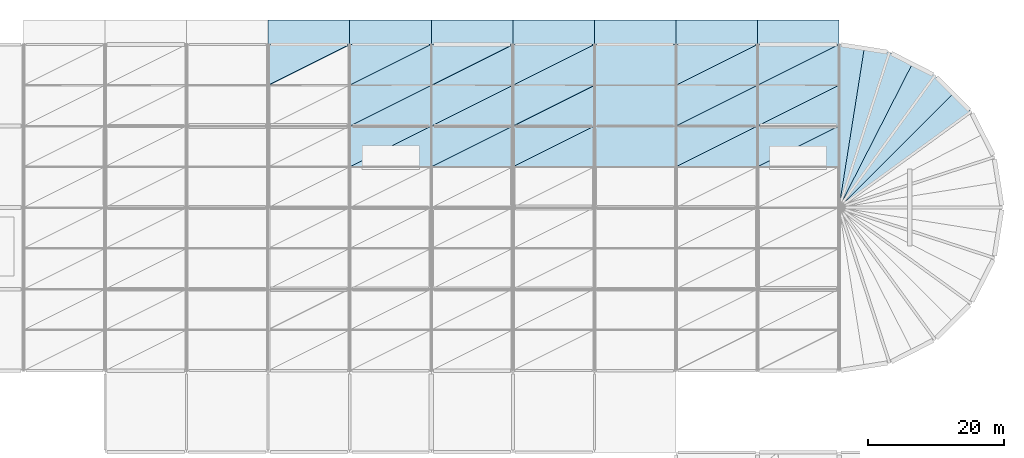
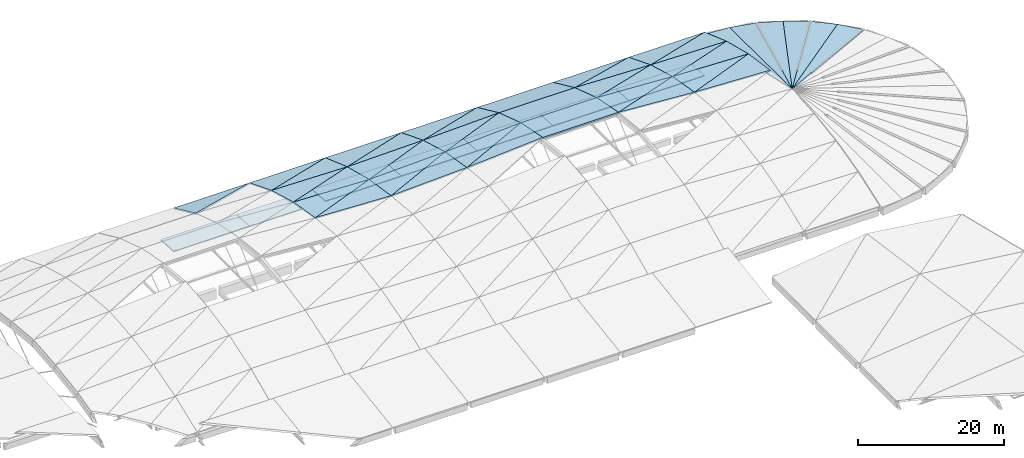
# One storey, part 22 of 23: 47 slabs, 2 elements without a shape of their own.
"""IFC4 building model written with IfcOpenShell, lengths in metres."""

from ifc_helpers import new_model, si_unit, direction, frame, origin, place, context, subcontext, project, spatial, polyline, outline, extrude, material, layer, layer_set, type_object, element, aggregate, save


model = new_model("IFC4")

# Units and contexts
model_context = context("Model", 3, precision=1e-05, world=origin(), true_north=direction((0.0, 1.0)))
body_context = subcontext(model_context, "Body", "Model", "MODEL_VIEW")
ifc_project = project(units=[si_unit("LENGTHUNIT", "METRE"), si_unit("AREAUNIT", "SQUARE_METRE"), si_unit("VOLUMEUNIT", "CUBIC_METRE"), si_unit("PLANEANGLEUNIT", "RADIAN"), si_unit("MASSUNIT", "GRAM", prefix="KILO")], contexts=[model_context])

# Site, building, storey
site_placement = place(None, origin())
site = spatial("IfcSite", under=ifc_project, at=site_placement, CompositionType="ELEMENT")
building_placement = place(site_placement, origin())
building = spatial("IfcBuilding", under=site, at=building_placement, Name="Kamomehara Wholesale Market", CompositionType="ELEMENT")
storey_placement = place(building_placement, frame((0.0, 0.0, 21.0)))
storey = spatial("IfcBuildingStorey", under=building, at=storey_placement, Name="RF", CompositionType="ELEMENT", Elevation=21.0)

# Roof, slabs
ifc_material_1 = material(Name="Concrete Fc36 (C35/45)", Category="concrete")
ifc_layer_1 = layer(ifc_material_1, 0.199951171875)
ifc_layer_set_1 = layer_set([ifc_layer_1], Name="Concrete Fc36 (C35/45)")
roof_type_1 = type_object("IfcRoofType", Name="ROOF-SYS-06", PredefinedType="GABLE_ROOF", material=ifc_layer_set_1)
roof_1_placement = place(storey_placement, origin())
roof_1 = element("IfcRoof", 1, at=roof_1_placement, inside=storey, type_object=roof_type_1, Name="V3 Dock Canopy Roof", PredefinedType="GABLE_ROOF")
ifc_material_2 = material(Name="Concrete Fc36 (C35/45)", Category="concrete")
ifc_layer_2 = layer(ifc_material_2, 0.14990234375)
ifc_layer_set_2 = layer_set([ifc_layer_2], Name="Concrete Fc36 (C35/45)")
slab_type_1 = type_object("IfcSlabType", Name="SLB-ROF-150", PredefinedType="ROOF", material=ifc_layer_set_2)
slab_1_placement = place(storey_placement, frame((96.0, 156.0, -15.89990234375), z_axis=(0.0, 0.063751781538, 0.997965786162), x_axis=(1.0, 0.0, 0.0)))
slab_1 = element("IfcSlab", 2, at=slab_1_placement, type_object=slab_type_1, Name="Freight canopy deck V1 4", PredefinedType="ROOF", context=body_context, shape_type="SweptSolid", body=[
    extrude(outline(polyline([(0.0, 0.0), (12.0, 0.0), (12.0, 3.607435952382691), (0.0, 3.607435952382691), (0.0, 0.0)])), origin(), (0.0, 0.0, -1.0), 0.14990234375),
])
slab_2_placement = place(storey_placement, frame((108.0, 156.0, -15.89990234375), z_axis=(0.0, 0.063751781538, 0.997965786162), x_axis=(1.0, 0.0, 0.0)))
slab_2 = element("IfcSlab", 3, at=slab_2_placement, type_object=slab_type_1, Name="Freight canopy deck V1 5", PredefinedType="ROOF", context=body_context, shape_type="SweptSolid", body=[
    extrude(outline(polyline([(0.0, 0.0), (12.0, 0.0), (12.0, 3.607435952382691), (0.0, 3.607435952382691), (0.0, 0.0)])), origin(), (0.0, 0.0, -1.0), 0.14990234375),
])
slab_3_placement = place(storey_placement, frame((120.0, 156.0, -15.89990234375), z_axis=(0.0, 0.063751781538, 0.997965786162), x_axis=(1.0, 0.0, 0.0)))
slab_3 = element("IfcSlab", 4, at=slab_3_placement, type_object=slab_type_1, Name="Freight canopy deck V1 6", PredefinedType="ROOF", context=body_context, shape_type="SweptSolid", body=[
    extrude(outline(polyline([(0.0, 0.0), (12.0, 0.0), (12.0, 3.607435952382691), (0.0, 3.607435952382691), (0.0, 0.0)])), origin(), (0.0, 0.0, -1.0), 0.14990234375),
])
slab_4_placement = place(storey_placement, frame((132.0, 156.0, -15.89990234375), z_axis=(0.0, 0.063751781538, 0.997965786162), x_axis=(1.0, 0.0, 0.0)))
slab_4 = element("IfcSlab", 5, at=slab_4_placement, type_object=slab_type_1, Name="Freight canopy deck V1 7", PredefinedType="ROOF", context=body_context, shape_type="SweptSolid", body=[
    extrude(outline(polyline([(0.0, 0.0), (12.0, 0.0), (12.0, 3.607435952382691), (0.0, 3.607435952382691), (0.0, 0.0)])), origin(), (0.0, 0.0, -1.0), 0.14990234375),
])
slab_5_placement = place(storey_placement, frame((144.0, 156.0, -15.89990234375), z_axis=(0.0, 0.063751781538, 0.997965786162), x_axis=(1.0, 0.0, 0.0)))
slab_5 = element("IfcSlab", 6, at=slab_5_placement, type_object=slab_type_1, Name="Freight canopy deck V1 8", PredefinedType="ROOF", context=body_context, shape_type="SweptSolid", body=[
    extrude(outline(polyline([(0.0, 0.0), (12.0, 0.0), (12.0, 3.607435952382691), (0.0, 3.607435952382691), (0.0, 0.0)])), origin(), (0.0, 0.0, -1.0), 0.14990234375),
])
slab_6_placement = place(storey_placement, frame((156.0, 156.0, -15.89990234375), z_axis=(0.0, 0.063751781538, 0.997965786162), x_axis=(1.0, 0.0, 0.0)))
slab_6 = element("IfcSlab", 7, at=slab_6_placement, type_object=slab_type_1, Name="Freight canopy deck V1 9", PredefinedType="ROOF", context=body_context, shape_type="SweptSolid", body=[
    extrude(outline(polyline([(0.0, 0.0), (12.0, 0.0), (12.0, 3.607435952382691), (0.0, 3.607435952382691), (0.0, 0.0)])), origin(), (0.0, 0.0, -1.0), 0.14990234375),
])
slab_7_placement = place(storey_placement, frame((168.0, 156.0, -15.89990234375), z_axis=(0.0, 0.063751781538, 0.997965786162), x_axis=(1.0, 0.0, 0.0)))
slab_7 = element("IfcSlab", 8, at=slab_7_placement, type_object=slab_type_1, Name="Freight canopy deck V1 10", PredefinedType="ROOF", context=body_context, shape_type="SweptSolid", body=[
    extrude(outline(polyline([(0.0, 0.0), (12.0, 0.0), (12.0, 3.607435952382691), (0.0, 3.607435952382691), (0.0, 0.0)])), origin(), (0.0, 0.0, -1.0), 0.14990234375),
])
aggregate(roof_1, [slab_1, slab_2, slab_3, slab_4, slab_5, slab_6, slab_7])

ifc_material_3 = material(Name="Concrete Fc36 (C35/45)", Category="concrete")
ifc_layer_3 = layer(ifc_material_3, 0.199951171875)
ifc_layer_set_3 = layer_set([ifc_layer_3], Name="Concrete Fc36 (C35/45)")
roof_type_2 = type_object("IfcRoofType", Name="ROOF-SYS-01", PredefinedType="BARREL_ROOF", material=ifc_layer_set_3)
roof_2_placement = place(storey_placement, origin())
roof_2 = element("IfcRoof", 9, at=roof_2_placement, inside=storey, type_object=roof_type_2, Name="V1 Wave-Barrel Concrete Shell Roof", PredefinedType="BARREL_ROOF")
ifc_material_4 = material(Name="Concrete Fc36 (C35/45)", Category="concrete")
ifc_layer_4 = layer(ifc_material_4, 0.179931640625)
ifc_layer_set_4 = layer_set([ifc_layer_4], Name="Concrete Fc36 (C35/45)")
slab_type_2 = type_object("IfcSlabType", Name="SLB-SHL-180", PredefinedType="ROOF", material=ifc_layer_set_4)
slab_8_placement = place(storey_placement, frame((108.0, 138.0, -3.5849609375), z_axis=(0.042645327452, 0.149801258637, 0.987796010802), x_axis=(0.999069381242, 0.0, -0.043132023661)))
slab_8 = element("IfcSlab", 10, at=slab_8_placement, type_object=slab_type_2, Name="Concrete shell roof facet V1 67", PredefinedType="ROOF", context=body_context, shape_type="SweptSolid", body=[
    extrude(outline(polyline([(0.0, 0.0), (12.011177827394148, 0.0), (12.050424178025319, 6.068475901801818), (0.0, 0.0)])), origin(), (0.0, 0.0, -1.0), 0.179931640625),
])
slab_9_placement = place(storey_placement, frame((108.0, 138.0, -3.5849609375), z_axis=(0.034084183452, 0.166370914285, 0.985473991193), x_axis=(0.889403592225, 0.444701796112, -0.105837435118)))
slab_9 = element("IfcSlab", 11, at=slab_9_placement, type_object=slab_type_2, Name="Concrete shell roof facet V1 68", PredefinedType="ROOF", context=body_context, shape_type="SweptSolid", body=[
    extrude(outline(polyline([(0.0, 0.0), (13.492187466867135, -3.0531133177191805e-16), (2.775417690322565, 5.415081068639854), (0.0, 0.0)])), origin(), (0.0, 0.0, -1.0), 0.179931640625),
])
slab_10_placement = place(storey_placement, frame((108.0, 144.0, -4.597900390625), z_axis=(0.033515080423, 0.244699516596, 0.969019548803), x_axis=(0.999402420026, 0.0, -0.034565920289)))
slab_10 = element("IfcSlab", 12, at=slab_10_placement, type_object=slab_type_2, Name="Concrete shell roof facet V1 69", PredefinedType="ROOF", context=body_context, shape_type="SweptSolid", body=[
    extrude(outline(polyline([(0.0, 0.0), (12.007175247467694, -1.3877787807814457e-17), (12.059547342514941, 6.188125438302368), (0.0, 0.0)])), origin(), (0.0, 0.0, -1.0), 0.179931640625),
])
slab_11_placement = place(storey_placement, frame((108.0, 144.0, -4.597900390625), z_axis=(0.019424424379, 0.270767076931, 0.962448898273), x_axis=(0.885312169823, 0.442656084911, -0.142400675753)))
slab_11 = element("IfcSlab", 13, at=slab_11_placement, type_object=slab_type_2, Name="Concrete shell roof facet V1 70", PredefinedType="ROOF", context=body_context, shape_type="SweptSolid", body=[
    extrude(outline(polyline([(0.0, 0.0), (13.554540882911677, -4.996003610813204e-16), (2.8963071813812302, 5.519122135694848), (0.0, 0.0)])), origin(), (0.0, 0.0, -1.0), 0.179931640625),
])
slab_12_placement = place(storey_placement, frame((108.0, 150.0, -6.285888671875), z_axis=(0.019024099385, 0.333343644667, 0.942613440495), x_axis=(0.999796399748, 0.0, -0.020178182547)))
slab_12 = element("IfcSlab", 14, at=slab_12_placement, type_object=slab_type_2, Name="Concrete shell roof facet V1 71", PredefinedType="ROOF", context=body_context, shape_type="SweptSolid", body=[
    extrude(outline(polyline([(0.0, 0.0), (12.002443700561829, 0.0), (12.04525829639092, 6.363985639050242), (0.0, 0.0)])), origin(), (0.0, 0.0, -1.0), 0.179931640625),
])
slab_13_placement = place(storey_placement, frame((108.0, 150.0, -6.285888671875), z_axis=(0.0, 0.366575165173, 0.930388439459), x_axis=(0.880857475286, 0.440428737643, -0.173529926212)))
slab_13 = element("IfcSlab", 15, at=slab_13_placement, type_object=slab_type_2, Name="Concrete shell roof facet V1 72", PredefinedType="ROOF", context=body_context, shape_type="SweptSolid", body=[
    extrude(outline(polyline([(0.0, 0.0), (13.623089247333438, 1.1102230246251565e-16), (3.0527995439031868, 5.680578807265718), (0.0, 0.0)])), origin(), (0.0, 0.0, -1.0), 0.179931640625),
])
slab_14_placement = place(storey_placement, frame((156.0, 138.0, -2.7470703125), z_axis=(0.068687348331, 0.166074480319, 0.983718107572), x_axis=(0.997571166828, 0.0, -0.069654627371)))
slab_14 = element("IfcSlab", 16, at=slab_14_placement, type_object=slab_type_2, Name="Concrete shell roof facet V1 123", PredefinedType="ROOF", context=body_context, shape_type="SweptSolid", body=[
    extrude(outline(polyline([(0.0, 0.0), (12.029216961193397, -2.7755575615628914e-17), (12.09977288135047, 6.084494079036314), (0.0, 0.0)])), origin(), (0.0, 0.0, -1.0), 0.179931640625),
])
slab_15_placement = place(storey_placement, frame((156.0, 138.0, -2.7470703125), z_axis=(0.054775148206, 0.192669789867, 0.979733655241), x_axis=(0.886035871948, 0.443017935974, -0.136658486842)))
slab_15 = element("IfcSlab", 17, at=slab_15_placement, type_object=slab_type_2, Name="Concrete shell roof facet V1 124", PredefinedType="ROOF", context=body_context, shape_type="SweptSolid", body=[
    extrude(outline(polyline([(0.0, 0.0), (13.543469717103228, 5.551115123125783e-16), (2.8193552884295263, 5.426184150409242), (0.0, 0.0)])), origin(), (0.0, 0.0, -1.0), 0.179931640625),
])
slab_16_placement = place(storey_placement, frame((156.0, 144.0, -3.927001953125), z_axis=(0.05374116883, 0.270426813168, 0.961239421524), x_axis=(0.998440790708, 0.0, -0.055821030535)))
slab_16 = element("IfcSlab", 18, at=slab_16_placement, type_object=slab_type_2, Name="Concrete shell roof facet V1 125", PredefinedType="ROOF", context=body_context, shape_type="SweptSolid", body=[
    extrude(outline(polyline([(0.0, 0.0), (12.01873973066394, -2.7755575615628914e-17), (12.112964976054656, 6.232208761006679), (0.0, 0.0)])), origin(), (0.0, 0.0, -1.0), 0.179931640625),
])
slab_17_placement = place(storey_placement, frame((156.0, 144.0, -3.927001953125), z_axis=(0.030935241972, 0.311516534082, 0.949737047712), x_axis=(0.880914944476, 0.440457472238, -0.173164880239)))
slab_17 = element("IfcSlab", 19, at=slab_17_placement, type_object=slab_type_2, Name="Concrete shell roof facet V1 126", PredefinedType="ROOF", context=body_context, shape_type="SweptSolid", body=[
    extrude(outline(polyline([(0.0, 0.0), (13.622200503292232, 4.440892098500626e-16), (2.9835363616533987, 5.565213739516299), (0.0, 0.0)])), origin(), (0.0, 0.0, -1.0), 0.179931640625),
])
slab_18_placement = place(storey_placement, frame((156.0, 150.0, -5.89501953125), z_axis=(0.030291104428, 0.366406950871, 0.929961502077), x_axis=(0.999469940198, 0.0, -0.03255516305)))
slab_18 = element("IfcSlab", 20, at=slab_18_placement, type_object=slab_type_2, Name="Concrete shell roof facet V1 127", PredefinedType="ROOF", context=body_context, shape_type="SweptSolid", body=[
    extrude(outline(polyline([(0.0, 0.0), (12.006364090976625, -2.7755575615628914e-17), (12.083324941518045, 6.448460100543064), (0.0, 0.0)])), origin(), (0.0, 0.0, -1.0), 0.179931640625),
])
slab_19_placement = place(storey_placement, frame((156.0, 150.0, -5.89501953125), z_axis=(0.0, 0.417265796716, 0.908784493096), x_axis=(0.876147291713, 0.438073645856, -0.201140259596)))
slab_19 = element("IfcSlab", 21, at=slab_19_placement, type_object=slab_type_2, Name="Concrete shell roof facet V1 128", PredefinedType="ROOF", context=body_context, shape_type="SweptSolid", body=[
    extrude(outline(polyline([(0.0, 0.0), (13.696327219755226, -4.440892098500626e-16), (3.1825597192023656, 5.784521842323569), (0.0, 0.0)])), origin(), (0.0, 0.0, -1.0), 0.179931640625),
])
slab_20_placement = place(storey_placement, frame((199.416015625, 146.10693359375, -9.0), z_axis=(0.168911071457, 0.144202913702, 0.975025419986), x_axis=(-0.649289820329, 0.760541076614, 0.0)))
slab_20 = element("IfcSlab", 22, at=slab_20_placement, type_object=slab_type_2, Name="Bullnose apse shell facet 15", PredefinedType="ROOF", context=body_context, shape_type="SweptSolid", body=[
    extrude(outline(polyline([(0.0, 0.0), (3.7657580371956554, -4.440892098500626e-16), (1.8777188335634991, 24.539017460497867), (0.0, 0.0)])), origin(), (0.0, 0.0, -1.0), 0.179931640625),
])
slab_21_placement = place(storey_placement, frame((196.970947265625, 148.970947265625, -9.0), z_axis=(0.144202913702, 0.168911071457, 0.975025419986), x_axis=(-0.760541076614, 0.649289820329, 0.0)))
slab_21 = element("IfcSlab", 23, at=slab_21_placement, type_object=slab_type_2, Name="Bullnose apse shell facet 16", PredefinedType="ROOF", context=body_context, shape_type="SweptSolid", body=[
    extrude(outline(polyline([(0.0, 0.0), (3.7657580371956554, 4.440892098500626e-16), (1.8880392036321572, 24.53901746049787), (0.0, 0.0)])), origin(), (0.0, 0.0, -1.0), 0.179931640625),
])
slab_22_placement = place(storey_placement, frame((194.10693359375, 151.416015625, -9.0), z_axis=(0.116059869866, 0.189358566986, 0.975024840563), x_axis=(-0.852598457307, 0.522566618335, 0.0)))
slab_22 = element("IfcSlab", 24, at=slab_22_placement, type_object=slab_type_2, Name="Bullnose apse shell facet 17", PredefinedType="ROOF", context=body_context, shape_type="SweptSolid", body=[
    extrude(outline(polyline([(0.0, 0.0), (3.766060649633147, 0.0), (1.8813881926522278, 24.538736406202478), (0.0, 0.0)])), origin(), (0.0, 0.0, -1.0), 0.179931640625),
])
slab_23_placement = place(storey_placement, frame((190.89599609375, 153.384033203125, -9.0), z_axis=(0.084965827708, 0.205202119308, 0.975024562949), x_axis=(-0.923929944544, 0.382561704272, 0.0)))
slab_23 = element("IfcSlab", 25, at=slab_23_placement, type_object=slab_type_2, Name="Bullnose apse shell facet 18", PredefinedType="ROOF", context=body_context, shape_type="SweptSolid", body=[
    extrude(outline(polyline([(0.0, 0.0), (3.766498195346454, 0.0), (1.8864248802443147, 24.53860175018912), (0.0, 0.0)])), origin(), (0.0, 0.0, -1.0), 0.179931640625),
])
slab_24_placement = place(storey_placement, frame((187.416015625, 154.824951171875, -9.0), z_axis=(0.051899003076, 0.215945921261, 0.975025052278), x_axis=(-0.972313704999, 0.233679393768, 0.0)))
slab_24 = element("IfcSlab", 26, at=slab_24_placement, type_object=slab_type_2, Name="Bullnose apse shell facet 19", PredefinedType="ROOF", context=body_context, shape_type="SweptSolid", body=[
    extrude(outline(polyline([(0.0, 0.0), (3.7663866673617017, -1.1102230246251565e-16), (1.8769728760434887, 24.53883909941831), (0.0, 0.0)])), origin(), (0.0, 0.0, -1.0), 0.179931640625),
])
slab_25_placement = place(storey_placement, frame((183.75390625, 155.705078125, -9.0), z_axis=(0.017394861226, 0.22141008792, 0.975025636468), x_axis=(-0.996928062679, 0.078322652167, 0.0)))
slab_25 = element("IfcSlab", 27, at=slab_25_placement, type_object=slab_type_2, Name="Bullnose apse shell facet 20", PredefinedType="ROOF", context=body_context, shape_type="SweptSolid", body=[
    extrude(outline(polyline([(0.0, 0.0), (3.7654735487243274, 0.0), (1.8857298967212643, 24.539122469611172), (0.0, 0.0)])), origin(), (0.0, 0.0, -1.0), 0.179931640625),
])
ifc_material_5 = material(Name="Concrete Fc36 (C35/45)", Category="concrete")
ifc_layer_5 = layer(ifc_material_5, 0.195068359375)
ifc_layer_set_5 = layer_set([ifc_layer_5], Name="Concrete Fc36 (C35/45)")
slab_type_3 = type_object("IfcSlabType", Name="SLB-SHL-195", PredefinedType="ROOF", material=ifc_layer_set_5)
slab_26_placement = place(storey_placement, frame((120.0, 138.0, -4.10302734375), z_axis=(-0.042531295358, 0.166317007011, 0.985154679273), x_axis=(0.999069381242, 0.0, 0.043132023661)))
slab_26 = element("IfcSlab", 28, at=slab_26_placement, type_object=slab_type_3, Name="Concrete shell roof facet V1 83", PredefinedType="ROOF", context=body_context, shape_type="SweptSolid", body=[
    extrude(outline(polyline([(0.0, 0.0), (12.011177827394148, -1.3877787807814457e-17), (11.967487698934601, 6.084746297782048), (0.0, 0.0)])), origin(), (0.0, 0.0, -1.0), 0.195068359375),
])
slab_27_placement = place(storey_placement, frame((120.0, 138.0, -4.10302734375), z_axis=(-0.034175627197, 0.149850073603, 0.988117898809), x_axis=(0.893819353892, 0.446909676946, -0.036860592251)))
slab_27 = element("IfcSlab", 29, at=slab_27_placement, type_object=slab_type_3, Name="Concrete shell roof facet V1 84", PredefinedType="ROOF", context=body_context, shape_type="SweptSolid", body=[
    extrude(outline(polyline([(0.0, 0.0), (13.42553162197026, -4.579669976578771e-16), (2.714997960922878, 5.427405099950793), (0.0, 0.0)])), origin(), (0.0, 0.0, -1.0), 0.195068359375),
])
slab_28_placement = place(storey_placement, frame((120.0, 144.0, -5.012939453125), z_axis=(-0.033275667811, 0.270668196763, 0.96209742604), x_axis=(0.999402420026, 0.0, 0.034565920289)))
slab_28 = element("IfcSlab", 30, at=slab_28_placement, type_object=slab_type_3, Name="Concrete shell roof facet V1 85", PredefinedType="ROOF", context=body_context, shape_type="SweptSolid", body=[
    extrude(outline(polyline([(0.0, 0.0), (12.007175247467694, 2.7755575615628914e-17), (11.948828379089244, 6.232647918869456), (0.0, 0.0)])), origin(), (0.0, 0.0, -1.0), 0.195068359375),
])
slab_29_placement = place(storey_placement, frame((120.0, 144.0, -5.012939453125), z_axis=(-0.019564282951, 0.244790201603, 0.969378664935), x_axis=(0.890428254859, 0.44521412743, -0.094455829281)))
slab_29 = element("IfcSlab", 31, at=slab_29_placement, type_object=slab_type_3, Name="Concrete shell roof facet V1 86", PredefinedType="ROOF", context=body_context, shape_type="SweptSolid", body=[
    extrude(outline(polyline([(0.0, 0.0), (13.47666129697991, -5.551115123125783e-16), (2.8143982598221107, 5.511333932145175), (0.0, 0.0)])), origin(), (0.0, 0.0, -1.0), 0.195068359375),
])
slab_30_placement = place(storey_placement, frame((120.0, 150.0, -6.528076171875), z_axis=(-0.01877406137, 0.366510556951, 0.930224460151), x_axis=(0.999796399748, 0.0, 0.020178182547)))
slab_30 = element("IfcSlab", 32, at=slab_30_placement, type_object=slab_type_3, Name="Concrete shell roof facet V1 87", PredefinedType="ROOF", context=body_context, shape_type="SweptSolid", body=[
    extrude(outline(polyline([(0.0, 0.0), (12.002443700561829, 0.0), (11.954742201147136, 6.448742916861048), (0.0, 0.0)])), origin(), (0.0, 0.0, -1.0), 0.195068359375),
])
slab_31_placement = place(storey_placement, frame((120.0, 150.0, -6.528076171875), z_axis=(0.0, 0.333403982305, 0.942784060421), x_axis=(0.883447070008, 0.441723535004, -0.156210092884)))
slab_31 = element("IfcSlab", 33, at=slab_31_placement, type_object=slab_type_3, Name="Concrete shell roof facet V1 88", PredefinedType="ROOF", context=body_context, shape_type="SweptSolid", body=[
    extrude(outline(polyline([(0.0, 0.0), (13.583156713505653, 1.1102230246251565e-16), (2.9817918734150117, 5.622371699495678), (0.0, 0.0)])), origin(), (0.0, 0.0, -1.0), 0.195068359375),
])
slab_32_placement = place(storey_placement, frame((168.0, 138.0, -3.5849609375), z_axis=(0.042645327452, 0.149801258637, 0.987796010802), x_axis=(0.999069381242, 0.0, -0.043132023661)))
slab_32 = element("IfcSlab", 34, at=slab_32_placement, type_object=slab_type_3, Name="Concrete shell roof facet V1 139", PredefinedType="ROOF", context=body_context, shape_type="SweptSolid", body=[
    extrude(outline(polyline([(0.0, 0.0), (12.011177827394148, 0.0), (12.050424178025319, 6.068475901801818), (0.0, 0.0)])), origin(), (0.0, 0.0, -1.0), 0.195068359375),
])
slab_33_placement = place(storey_placement, frame((168.0, 138.0, -3.5849609375), z_axis=(0.034084183452, 0.166370914285, 0.985473991193), x_axis=(0.889403592225, 0.444701796112, -0.105837435118)))
slab_33 = element("IfcSlab", 35, at=slab_33_placement, type_object=slab_type_3, Name="Concrete shell roof facet V1 140", PredefinedType="ROOF", context=body_context, shape_type="SweptSolid", body=[
    extrude(outline(polyline([(0.0, 0.0), (13.492187466867135, -3.0531133177191805e-16), (2.775417690322565, 5.415081068639854), (0.0, 0.0)])), origin(), (0.0, 0.0, -1.0), 0.195068359375),
])
slab_34_placement = place(storey_placement, frame((168.0, 144.0, -4.597900390625), z_axis=(0.033515080423, 0.244699516596, 0.969019548803), x_axis=(0.999402420026, 0.0, -0.034565920289)))
slab_34 = element("IfcSlab", 36, at=slab_34_placement, type_object=slab_type_3, Name="Concrete shell roof facet V1 141", PredefinedType="ROOF", context=body_context, shape_type="SweptSolid", body=[
    extrude(outline(polyline([(0.0, 0.0), (12.007175247467694, -1.3877787807814457e-17), (12.059547342514941, 6.188125438302368), (0.0, 0.0)])), origin(), (0.0, 0.0, -1.0), 0.195068359375),
])
slab_35_placement = place(storey_placement, frame((168.0, 144.0, -4.597900390625), z_axis=(0.019424424379, 0.270767076931, 0.962448898273), x_axis=(0.885312169823, 0.442656084911, -0.142400675753)))
slab_35 = element("IfcSlab", 37, at=slab_35_placement, type_object=slab_type_3, Name="Concrete shell roof facet V1 142", PredefinedType="ROOF", context=body_context, shape_type="SweptSolid", body=[
    extrude(outline(polyline([(0.0, 0.0), (13.554540882911677, -4.996003610813204e-16), (2.8963071813812302, 5.519122135694848), (0.0, 0.0)])), origin(), (0.0, 0.0, -1.0), 0.195068359375),
])
slab_36_placement = place(storey_placement, frame((168.0, 150.0, -6.285888671875), z_axis=(0.019024099385, 0.333343644667, 0.942613440495), x_axis=(0.999796399748, 0.0, -0.020178182547)))
slab_36 = element("IfcSlab", 38, at=slab_36_placement, type_object=slab_type_3, Name="Concrete shell roof facet V1 143", PredefinedType="ROOF", context=body_context, shape_type="SweptSolid", body=[
    extrude(outline(polyline([(0.0, 0.0), (12.002443700561829, 0.0), (12.04525829639092, 6.363985639050242), (0.0, 0.0)])), origin(), (0.0, 0.0, -1.0), 0.195068359375),
])
slab_37_placement = place(storey_placement, frame((168.0, 150.0, -6.285888671875), z_axis=(0.0, 0.366575165173, 0.930388439459), x_axis=(0.880857475286, 0.440428737643, -0.173529926212)))
slab_37 = element("IfcSlab", 39, at=slab_37_placement, type_object=slab_type_3, Name="Concrete shell roof facet V1 144", PredefinedType="ROOF", context=body_context, shape_type="SweptSolid", body=[
    extrude(outline(polyline([(0.0, 0.0), (13.623089247333438, 1.1102230246251565e-16), (3.0527995439031868, 5.680578807265718), (0.0, 0.0)])), origin(), (0.0, 0.0, -1.0), 0.195068359375),
])
ifc_material_6 = material(Name="Concrete Fc36 (C35/45)", Category="concrete")
ifc_layer_6 = layer(ifc_material_6, 0.2099609375)
ifc_layer_set_6 = layer_set([ifc_layer_6], Name="Concrete Fc36 (C35/45)")
slab_type_4 = type_object("IfcSlabType", Name="SLB-SHL-210", PredefinedType="ROOF", material=ifc_layer_set_6)
slab_38_placement = place(storey_placement, frame((132.0, 138.0, -3.5849609375), z_axis=(-0.06835176298, 0.192508199583, 0.978911962125), x_axis=(0.997571166828, 0.0, 0.069654627371)))
slab_38 = element("IfcSlab", 40, at=slab_38_placement, type_object=slab_type_4, Name="Concrete shell roof facet V1 99", PredefinedType="ROOF", context=body_context, shape_type="SweptSolid", body=[
    extrude(outline(polyline([(0.0, 0.0), (12.029216961193397, 5.551115123125783e-17), (11.9470292624421, 6.114367003927877), (0.0, 0.0)])), origin(), (0.0, 0.0, -1.0), 0.2099609375),
])
slab_39_placement = place(storey_placement, frame((132.0, 138.0, -3.5849609375), z_axis=(-0.05504453171, 0.166215256234, 0.984551973297), x_axis=(0.894136663514, 0.447068331757, -0.025485951041)))
slab_39 = element("IfcSlab", 41, at=slab_39_placement, type_object=slab_type_4, Name="Concrete shell roof facet V1 100", PredefinedType="ROOF", context=body_context, shape_type="SweptSolid", body=[
    extrude(outline(polyline([(0.0, 0.0), (13.420767193285554, 2.5673907444456745e-16), (2.7082257158516057, 5.448996220194802), (0.0, 0.0)])), origin(), (0.0, 0.0, -1.0), 0.2099609375),
])
slab_40_placement = place(storey_placement, frame((132.0, 144.0, -4.597900390625), z_axis=(-0.053048715313, 0.311226851628, 0.948853877386), x_axis=(0.998440790708, 0.0, 0.055821030535)))
slab_40 = element("IfcSlab", 42, at=slab_40_placement, type_object=slab_type_4, Name="Concrete shell roof facet V1 101", PredefinedType="ROOF", context=body_context, shape_type="SweptSolid", body=[
    extrude(outline(polyline([(0.0, 0.0), (12.01873973066394, 2.7755575615628914e-17), (11.908882961341616, 6.313558796593491), (0.0, 0.0)])), origin(), (0.0, 0.0, -1.0), 0.2099609375),
])
slab_41_placement = place(storey_placement, frame((132.0, 144.0, -4.597900390625), z_axis=(-0.031339811588, 0.270685143436, 0.962157663448), x_axis=(0.890276020444, 0.445138010222, -0.09623283888)))
slab_41 = element("IfcSlab", 43, at=slab_41_placement, type_object=slab_type_4, Name="Concrete shell roof facet V1 102", PredefinedType="ROOF", context=body_context, shape_type="SweptSolid", body=[
    extrude(outline(polyline([(0.0, 0.0), (13.478965763921792, 5.551115123125783e-16), (2.8332679656312587, 5.551747208993314), (0.0, 0.0)])), origin(), (0.0, 0.0, -1.0), 0.2099609375),
])
slab_42_placement = place(storey_placement, frame((132.0, 150.0, -6.285888671875), z_axis=(-0.029588357436, 0.417083104691, 0.908386598803), x_axis=(0.999469940198, 0.0, 0.03255516305)))
slab_42 = element("IfcSlab", 44, at=slab_42_placement, type_object=slab_type_4, Name="Concrete shell roof facet V1 103", PredefinedType="ROOF", context=body_context, shape_type="SweptSolid", body=[
    extrude(outline(polyline([(0.0, 0.0), (12.006364090976625, 0.0), (11.916678431830762, 6.601616150091694), (0.0, 0.0)])), origin(), (0.0, 0.0, -1.0), 0.2099609375),
])
slab_43_placement = place(storey_placement, frame((132.0, 150.0, -6.285888671875), z_axis=(0.0, 0.366575165173, 0.930388439459), x_axis=(0.880857475286, 0.440428737643, -0.173529926212)))
slab_43 = element("IfcSlab", 45, at=slab_43_placement, type_object=slab_type_4, Name="Concrete shell roof facet V1 104", PredefinedType="ROOF", context=body_context, shape_type="SweptSolid", body=[
    extrude(outline(polyline([(0.0, 0.0), (13.623089247333438, 1.1102230246251565e-16), (3.0527995439031868, 5.680578807265718), (0.0, 0.0)])), origin(), (0.0, 0.0, -1.0), 0.2099609375),
])
ifc_material_7 = material(Name="Concrete Fc36 (C35/45)", Category="concrete")
ifc_layer_7 = layer(ifc_material_7, 0.22509765625)
ifc_layer_set_7 = layer_set([ifc_layer_7], Name="Concrete Fc36 (C35/45)")
slab_type_5 = type_object("IfcSlabType", Name="SLB-SHL-225", PredefinedType="ROOF", material=ifc_layer_set_7)
slab_44_placement = place(storey_placement, frame((96.0, 150.0, -5.89501953125), z_axis=(0.0, 0.417265796716, 0.908784493096), x_axis=(0.876147291713, 0.438073645856, -0.201140259596)))
slab_44 = element("IfcSlab", 46, at=slab_44_placement, type_object=slab_type_5, Name="Concrete shell roof facet V1 56", PredefinedType="ROOF", context=body_context, shape_type="SweptSolid", body=[
    extrude(outline(polyline([(0.0, 0.0), (13.696327219755226, -4.440892098500626e-16), (3.1825597192023656, 5.784521842323569), (0.0, 0.0)])), origin(), (0.0, 0.0, -1.0), 0.22509765625),
])
slab_45_placement = place(storey_placement, frame((144.0, 138.0, -2.7470703125), z_axis=(0.0, 0.192959477105, 0.981206726534), x_axis=(1.0, 0.0, 0.0)))
slab_45 = element("IfcSlab", 47, at=slab_45_placement, type_object=slab_type_5, Name="Concrete shell roof strip V1 110", PredefinedType="ROOF", context=body_context, shape_type="SweptSolid", body=[
    extrude(outline(polyline([(0.0, 0.0), (12.0, 0.0), (12.0, 6.114919351598024), (0.0, 6.114919351598024), (0.0, 0.0)])), origin(), (0.0, 0.0, -1.0), 0.22509765625),
])
slab_46_placement = place(storey_placement, frame((144.0, 144.0, -3.927001953125), z_axis=(0.0, 0.311665700132, 0.950191818193), x_axis=(1.0, 0.0, 0.0)))
slab_46 = element("IfcSlab", 48, at=slab_46_placement, type_object=slab_type_5, Name="Concrete shell roof strip V1 111", PredefinedType="ROOF", context=body_context, shape_type="SweptSolid", body=[
    extrude(outline(polyline([(0.0, 0.0), (12.0, 0.0), (12.0, 6.3145144855173925), (0.0, 6.3145144855173925), (0.0, 0.0)])), origin(), (0.0, 0.0, -1.0), 0.22509765625),
])
slab_47_placement = place(storey_placement, frame((144.0, 150.0, -5.89501953125), z_axis=(0.0, 0.417265796716, 0.908784493096), x_axis=(1.0, 0.0, 0.0)))
slab_47 = element("IfcSlab", 49, at=slab_47_placement, type_object=slab_type_5, Name="Concrete shell roof strip V1 112", PredefinedType="ROOF", context=body_context, shape_type="SweptSolid", body=[
    extrude(outline(polyline([(0.0, 0.0), (12.0, 0.0), (12.0, 6.602225330190413), (0.0, 6.602225330190413), (0.0, 0.0)])), origin(), (0.0, 0.0, -1.0), 0.22509765625),
])
aggregate(roof_2, [slab_44, slab_8, slab_9, slab_10, slab_11, slab_12, slab_13, slab_26, slab_27, slab_28, slab_29, slab_30, slab_31, slab_38, slab_39, slab_40, slab_41, slab_42, slab_43, slab_45, slab_46, slab_47, slab_14, slab_15, slab_16, slab_17, slab_18, slab_19, slab_32, slab_33, slab_34, slab_35, slab_36, slab_37, slab_20, slab_21, slab_22, slab_23, slab_24, slab_25])

save(model, "model.ifc")
